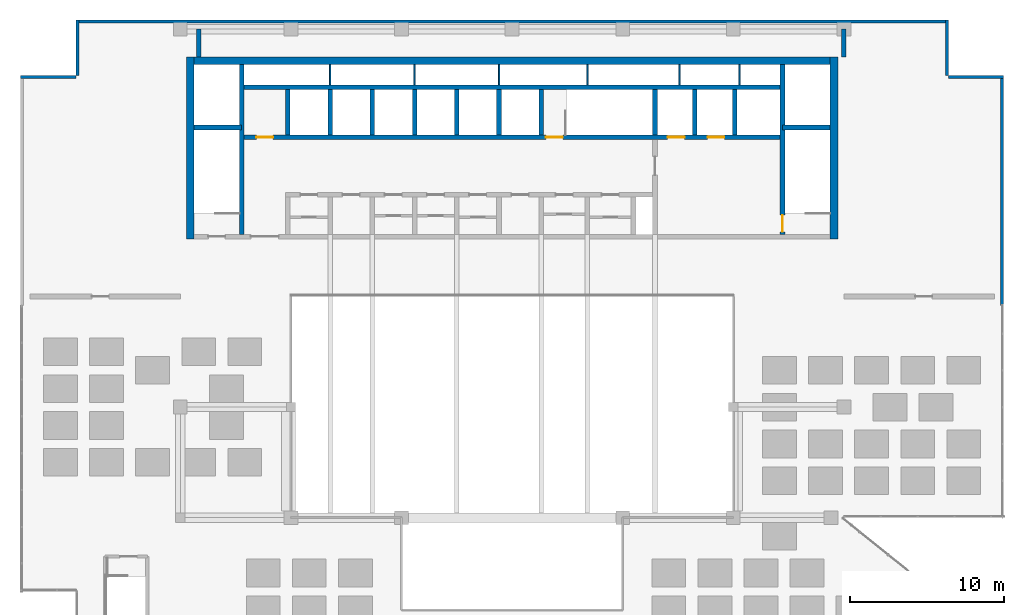
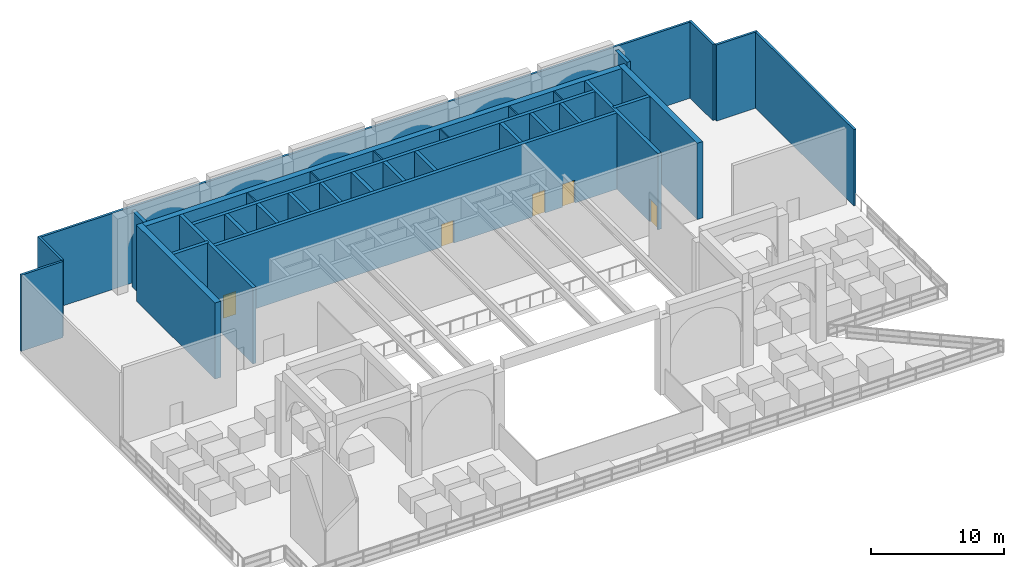
# One storey, part 14 of 17: 33 walls, 5 doors, 5 openings.
"""IFC4 building model written with IfcOpenShell, lengths in metres."""

from ifc_helpers import new_model, si_unit, direction, frame, frame_2d, origin, place, context, subcontext, project, spatial, rectangle, extrude, material, layer, layer_set, type_object, element, fill, save


model = new_model("IFC4")

# Units and contexts
model_context = context("Model", 3, precision=1e-05, world=origin(), true_north=direction((0.0, 1.0)))
body_context = subcontext(model_context, "Body", "Model", "MODEL_VIEW")
ifc_project = project(units=[si_unit("LENGTHUNIT", "METRE"), si_unit("AREAUNIT", "SQUARE_METRE"), si_unit("VOLUMEUNIT", "CUBIC_METRE"), si_unit("PLANEANGLEUNIT", "RADIAN"), si_unit("MASSUNIT", "GRAM", prefix="KILO")], contexts=[model_context])

# Site, building, storey
site_placement = place(None, origin())
site = spatial("IfcSite", under=ifc_project, at=site_placement, CompositionType="ELEMENT")
building_placement = place(site_placement, origin())
building = spatial("IfcBuilding", under=site, at=building_placement, Name="Saffron Iwan Residences", CompositionType="ELEMENT")
storey_placement = place(building_placement, frame((0.0, 0.0, 274.5)))
storey = spatial("IfcBuildingStorey", under=building, at=storey_placement, Name="L74", CompositionType="ELEMENT", Elevation=274.5)

# Walls
ifc_material_1 = material(Name="Concrete C40/50", Category="concrete")
ifc_layer_1 = layer(ifc_material_1, 0.199951171875)
ifc_layer_set_1 = layer_set([ifc_layer_1], Name="Concrete C40/50")
wall_type_1 = type_object("IfcWallType", Name="CROWN PLANT WALL 250", PredefinedType="SOLIDWALL", material=ifc_layer_set_1)
wall_1_placement = place(storey_placement, frame((82.300048828125, 61.800048828125, 0.0), z_axis=(0.0, 0.0, 1.0), x_axis=(0.0, 1.0, 0.0)))
element("IfcWall", 1, at=wall_1_placement, inside=storey, type_object=wall_type_1, Name="Plant enclosure wall F2.1", PredefinedType="SOLIDWALL", context=body_context, shape_type="SweptSolid", body=[
    extrude(rectangle(XDim=15.0, YDim=0.199951171875, at=frame_2d((7.5, 0.0))), origin(), (0.0, 0.0, 1.0), 7.0),
])
for number, where, z_axis, x_axis, name in (
    (2, (82.39990234375, 76.699951171875, 0.0), (0.0, 0.0, 1.0), (-1.0, 0.0, 0.0), "Plant enclosure wall F3.1"),
    (3, (78.699951171875, 76.800048828125, 0.0), (0.0, 0.0, 1.0), (0.0, 1.0, 0.0), "Plant enclosure wall F4.1"),
):
    element("IfcWall", number, at=place(storey_placement, frame(where, z_axis=z_axis, x_axis=x_axis)), inside=storey, type_object=wall_type_1, Name=name, PredefinedType="SOLIDWALL", context=body_context, shape_type="SweptSolid", body=[
        extrude(rectangle(XDim=3.599853515625, YDim=0.199951171875, at=frame_2d((1.7998046875, 0.0))), origin(), (0.0, 0.0, 1.0), 7.0),
    ])
wall_2_placement = place(storey_placement, frame((78.800048828125, 80.300048828125, 0.0), z_axis=(0.0, 0.0, 1.0), x_axis=(-1.0, 0.0, 0.0)))
element("IfcWall", 4, at=wall_2_placement, inside=storey, type_object=wall_type_1, Name="Plant enclosure wall F5.1", PredefinedType="SOLIDWALL", context=body_context, shape_type="SweptSolid", body=[
    extrude(rectangle(XDim=56.800048828125, YDim=0.199951171875, at=frame_2d((28.39990234375, 0.0))), origin(), (0.0, 0.0, 1.0), 7.0),
])
wall_3_placement = place(storey_placement, frame((22.10009765625, 80.39990234375, 0.0), z_axis=(0.0, 0.0, 1.0), x_axis=(0.0, -1.0, 0.0)))
element("IfcWall", 5, at=wall_3_placement, inside=storey, type_object=wall_type_1, Name="Plant enclosure wall F6.1", PredefinedType="SOLIDWALL", context=body_context, shape_type="SweptSolid", body=[
    extrude(rectangle(XDim=3.599853515625, YDim=0.199951171875, at=frame_2d((1.7998046875, 0.0))), origin(), (0.0, 0.0, 1.0), 7.0),
])
wall_4_placement = place(storey_placement, frame((22.0, 76.699951171875, 0.0), z_axis=(0.0, 0.0, 1.0), x_axis=(-1.0, 0.0, 0.0)))
element("IfcWall", 6, at=wall_4_placement, inside=storey, type_object=wall_type_1, Name="Plant enclosure wall F7.1", PredefinedType="SOLIDWALL", context=body_context, shape_type="SweptSolid", body=[
    extrude(rectangle(XDim=3.60009765625, YDim=0.199951171875, at=frame_2d((1.800048828125, 0.0))), origin(), (0.0, 0.0, 1.0), 7.0),
])
ifc_material_2 = material(Name="Precast concrete C40/50", Category="concrete")
ifc_layer_2 = layer(ifc_material_2, 0.300048828125)
ifc_layer_set_2 = layer_set([ifc_layer_2], Name="Precast concrete C40/50")
wall_type_2 = type_object("IfcWallType", Name="Podium external wall 300", PredefinedType="SOLIDWALL", material=ifc_layer_set_2)
wall_5_placement = place(storey_placement, frame((30.0, 78.001953125, 0.0), z_axis=(0.0, 0.0, 1.0), x_axis=(0.0, 1.0, 0.0)))
element("IfcWall", 7, at=wall_5_placement, inside=storey, type_object=wall_type_2, Name="W-L74-010", PredefinedType="SOLIDWALL", context=body_context, shape_type="SweptSolid", body=[
    extrude(rectangle(XDim=1.798095703125, YDim=0.300048828125, at=frame_2d((0.89892578125, 0.0))), origin(), (0.0, 0.0, 1.0), 7.0),
])
wall_6_placement = place(storey_placement, frame((72.0, 78.0, 0.0), z_axis=(0.0, 0.0, 1.0), x_axis=(0.0, 1.0, 0.0)))
element("IfcWall", 8, at=wall_6_placement, inside=storey, type_object=wall_type_2, Name="W-L74-015", PredefinedType="SOLIDWALL", context=body_context, shape_type="SweptSolid", body=[
    extrude(rectangle(XDim=1.800048828125, YDim=0.300048828125, at=frame_2d((0.89990234375, 0.0))), origin(), (0.0, 0.0, 1.0), 7.0),
])
ifc_material_3 = material(Name="Fire-rated plasterboard partition")
ifc_layer_3 = layer(ifc_material_3, 0.10009765625)
ifc_layer_set_3 = layer_set([ifc_layer_3], Name="Fire-rated plasterboard partition")
wall_type_3 = type_object("IfcWallType", Name="Riser partition 100", PredefinedType="PARTITIONING", material=ifc_layer_set_3)
for number, where, z_axis, x_axis, name in (
    (9, (38.550048828125, 76.175048828125, 0.0), (0.0, 0.0, 1.0), (0.0, 1.0, 0.0), "Core partition P07"),
    (10, (44.050048828125, 76.175048828125, 0.0), (0.0, 0.0, 1.0), (0.0, 1.0, 0.0), "Core partition P08"),
    (11, (49.550048828125, 76.175048828125, 0.0), (0.0, 0.0, 1.0), (0.0, 1.0, 0.0), "Core partition P09"),
    (12, (55.300048828125, 76.175048828125, 0.0), (0.0, 0.0, 1.0), (0.0, 1.0, 0.0), "Core partition P10"),
    (13, (61.300048828125, 76.175048828125, 0.0), (0.0, 0.0, 1.0), (0.0, 1.0, 0.0), "Core partition P11"),
    (14, (65.199951171875, 76.175048828125, 0.0), (0.0, 0.0, 1.0), (0.0, 1.0, 0.0), "Core partition P12"),
):
    element("IfcWall", number, at=place(storey_placement, frame(where, z_axis=z_axis, x_axis=x_axis)), inside=storey, type_object=wall_type_3, Name=name, PredefinedType="PARTITIONING", context=body_context, shape_type="SweptSolid", body=[
        extrude(rectangle(XDim=1.324951171875, YDim=0.10009765625, at=frame_2d((0.66259765625, 0.0))), origin(), (0.0, 0.0, 1.0), 7.0),
    ])

# Wall, openings, doors
ifc_layer_4 = layer(ifc_material_1, 0.300048828125)
ifc_layer_set_4 = layer_set([ifc_layer_4], Name="Concrete C40/50")
wall_type_4 = type_object("IfcWallType", Name="WALL CORE 300 C40/50 7000 HIGH", PredefinedType="SHEAR", material=ifc_layer_set_4)
wall_7_placement = place(storey_placement, frame((32.800048828125, 72.77490234375, 0.0), z_axis=(0.0, 0.0, 1.0), x_axis=(1.0, 0.0, 0.0)))
wall_7 = element("IfcWall", 15, at=wall_7_placement, inside=storey, type_object=wall_type_4, Name="Core wall", PredefinedType="SHEAR", context=body_context, shape_type="SweptSolid", body=[
    extrude(rectangle(XDim=35.199951171875, YDim=0.300048828125, at=frame_2d((17.60009765625, 0.0))), origin(), (0.0, 0.0, 1.0), 7.0),
])
opening_1_placement = place(wall_7_placement, frame((19.800048828125, 0.0, 0.0)))
opening_1 = element("IfcOpeningElement", 16, at=opening_1_placement, cuts=wall_7, Name="Opening SD", PredefinedType="OPENING", context=body_context, shape_type="SweptSolid", body=[
    extrude(rectangle(XDim=1.10009765625, YDim=2.10009765625, at=frame_2d((0.550048828125, 1.050048828125))), frame((0.0, 0.16015625, 0.0), z_axis=(0.0, -1.0, 0.0), x_axis=(1.0, 0.0, 0.0)), (0.0, 0.0, 1.0), 0.320068359375),
])
opening_2_placement = place(wall_7_placement, frame((27.72509765625, 0.0, 0.0)))
opening_2 = element("IfcOpeningElement", 17, at=opening_2_placement, cuts=wall_7, Name="Opening LD", PredefinedType="OPENING", context=body_context, shape_type="SweptSolid", body=[
    extrude(rectangle(XDim=1.10009765625, YDim=2.10009765625, at=frame_2d((0.550048828125, 1.050048828125))), frame((0.0, 0.16015625, 0.0), z_axis=(0.0, -1.0, 0.0), x_axis=(1.0, 0.0, 0.0)), (0.0, 0.0, 1.0), 0.320068359375),
])
opening_3_placement = place(wall_7_placement, frame((30.324951171875, 0.0, 0.0)))
opening_3 = element("IfcOpeningElement", 18, at=opening_3_placement, cuts=wall_7, Name="Opening LD", PredefinedType="OPENING", context=body_context, shape_type="SweptSolid", body=[
    extrude(rectangle(XDim=1.10009765625, YDim=2.10009765625, at=frame_2d((0.550048828125, 1.050048828125))), frame((0.0, 0.16015625, 0.0), z_axis=(0.0, -1.0, 0.0), x_axis=(1.0, 0.0, 0.0)), (0.0, 0.0, 1.0), 0.320068359375),
])
opening_4_placement = place(wall_7_placement, frame((0.949951171875, 0.0, 0.0)))
opening_4 = element("IfcOpeningElement", 19, at=opening_4_placement, cuts=wall_7, Name="Opening SR", PredefinedType="OPENING", context=body_context, shape_type="SweptSolid", body=[
    extrude(rectangle(XDim=1.10009765625, YDim=2.10009765625, at=frame_2d((0.550048828125, 1.050048828125))), frame((0.0, 0.16015625, 0.0), z_axis=(0.0, -1.0, 0.0), x_axis=(1.0, 0.0, 0.0)), (0.0, 0.0, 1.0), 0.320068359375),
])
ifc_material_4 = material(Name="Steel fire door", Category="steel")
door_type_1 = type_object("IfcDoorType", Name="Lift landing door 1100", OperationType="SLIDING_TO_LEFT", PredefinedType="DOOR", material=ifc_material_4)
door_1_placement = place(opening_2_placement, origin())
door_1 = element("IfcDoor", 20, at=door_1_placement, inside=storey, type_object=door_type_1, Name="Landing doors FF1", OperationType="SLIDING_TO_LEFT", OverallHeight=2.10009765625, OverallWidth=1.10009765625, PredefinedType="DOOR", context=body_context, shape_type="SweptSolid", body=[
    extrude(rectangle(XDim=1.10009765625, YDim=2.10009765625, at=frame_2d((0.550048828125, 1.050048828125))), frame((0.0, 0.02490234375, 0.0), z_axis=(0.0, -1.0, 0.0), x_axis=(1.0, 0.0, 0.0)), (0.0, 0.0, 1.0), 0.050048828125),
])
fill(opening_2, door_1)
door_2_placement = place(opening_3_placement, origin())
door_2 = element("IfcDoor", 21, at=door_2_placement, inside=storey, type_object=door_type_1, Name="Landing doors FF2", OperationType="SLIDING_TO_LEFT", OverallHeight=2.10009765625, OverallWidth=1.10009765625, PredefinedType="DOOR", context=body_context, shape_type="SweptSolid", body=[
    extrude(rectangle(XDim=1.10009765625, YDim=2.10009765625, at=frame_2d((0.550048828125, 1.050048828125))), frame((0.0, 0.02490234375, 0.0), z_axis=(0.0, -1.0, 0.0), x_axis=(1.0, 0.0, 0.0)), (0.0, 0.0, 1.0), 0.050048828125),
])
fill(opening_3, door_2)
door_type_2 = type_object("IfcDoorType", Name="Service door 1100", OperationType="NOTDEFINED", PredefinedType="DOOR", material=ifc_material_4)
door_3_placement = place(opening_4_placement, origin())
door_3 = element("IfcDoor", 22, at=door_3_placement, inside=storey, type_object=door_type_2, Name="Door Staff WC", OperationType="SINGLE_SWING_LEFT", OverallHeight=2.10009765625, OverallWidth=1.10009765625, PredefinedType="DOOR", context=body_context, shape_type="SweptSolid", body=[
    extrude(rectangle(XDim=1.10009765625, YDim=2.10009765625, at=frame_2d((0.550048828125, 1.050048828125))), frame((0.0, 0.02490234375, 0.0), z_axis=(0.0, -1.0, 0.0), x_axis=(1.0, 0.0, 0.0)), (0.0, 0.0, 1.0), 0.050048828125),
])
fill(opening_4, door_3)
door_type_3 = type_object("IfcDoorType", Name="Stair door 1100", OperationType="NOTDEFINED", PredefinedType="DOOR", material=ifc_material_4)
door_4_placement = place(opening_1_placement, origin())
door_4 = element("IfcDoor", 23, at=door_4_placement, inside=storey, type_object=door_type_3, Name="Stair door ST-C", OperationType="SINGLE_SWING_LEFT", OverallHeight=2.10009765625, OverallWidth=1.10009765625, PredefinedType="DOOR", context=body_context, shape_type="SweptSolid", body=[
    extrude(rectangle(XDim=1.10009765625, YDim=2.10009765625, at=frame_2d((0.550048828125, 1.050048828125))), frame((0.0, 0.02490234375, 0.0), z_axis=(0.0, -1.0, 0.0), x_axis=(1.0, 0.0, 0.0)), (0.0, 0.0, 1.0), 0.050048828125),
])
fill(opening_1, door_4)

# Walls
wall_8_placement = place(storey_placement, frame((32.800048828125, 76.02490234375, 0.0), z_axis=(0.0, 0.0, 1.0), x_axis=(1.0, 0.0, 0.0)))
element("IfcWall", 24, at=wall_8_placement, inside=storey, type_object=wall_type_4, Name="Core wall", PredefinedType="SHEAR", context=body_context, shape_type="SweptSolid", body=[
    extrude(rectangle(XDim=35.199951171875, YDim=0.300048828125, at=frame_2d((17.60009765625, 0.0))), origin(), (0.0, 0.0, 1.0), 7.0),
])
for number, where, z_axis, x_axis, name in (
    (25, (29.699951171875, 73.39990234375, 0.0), (0.0, 0.0, 1.0), (1.0, 0.0, 0.0), "Core wall"),
    (26, (68.0, 73.39990234375, 0.0), (0.0, 0.0, 1.0), (1.0, 0.0, 0.0), "Core wall"),
):
    element("IfcWall", number, at=place(storey_placement, frame(where, z_axis=z_axis, x_axis=x_axis)), inside=storey, type_object=wall_type_4, Name=name, PredefinedType="SHEAR", context=body_context, shape_type="SweptSolid", body=[
        extrude(rectangle(XDim=3.10009765625, YDim=0.300048828125, at=frame_2d((1.550048828125, 0.0))), origin(), (0.0, 0.0, 1.0), 7.0),
    ])
wall_9_placement = place(storey_placement, frame((32.800048828125, 66.449951171875, 0.0), z_axis=(0.0, 0.0, 1.0), x_axis=(0.0, 1.0, 0.0)))
element("IfcWall", 27, at=wall_9_placement, inside=storey, type_object=wall_type_4, Name="Core wall", PredefinedType="SHEAR", context=body_context, shape_type="SweptSolid", body=[
    extrude(rectangle(XDim=11.050048828125, YDim=0.300048828125, at=frame_2d((5.52490234375, 0.0))), origin(), (0.0, 0.0, 1.0), 7.0),
])

# Wall, opening, door
wall_10_placement = place(storey_placement, frame((68.0, 66.449951171875, 0.0), z_axis=(0.0, 0.0, 1.0), x_axis=(0.0, 1.0, 0.0)))
wall_10 = element("IfcWall", 28, at=wall_10_placement, inside=storey, type_object=wall_type_4, Name="Core wall", PredefinedType="SHEAR", context=body_context, shape_type="SweptSolid", body=[
    extrude(rectangle(XDim=11.050048828125, YDim=0.300048828125, at=frame_2d((5.52490234375, 0.0))), origin(), (0.0, 0.0, 1.0), 7.0),
])
opening_5_placement = place(wall_10_placement, frame((0.14990234375, 0.0, 0.0)))
opening_5 = element("IfcOpeningElement", 29, at=opening_5_placement, cuts=wall_10, Name="Opening SD", PredefinedType="OPENING", context=body_context, shape_type="SweptSolid", body=[
    extrude(rectangle(XDim=1.10009765625, YDim=2.10009765625, at=frame_2d((0.550048828125, 1.050048828125))), frame((0.0, 0.16015625, 0.0), z_axis=(0.0, -1.0, 0.0), x_axis=(1.0, 0.0, 0.0)), (0.0, 0.0, 1.0), 0.320068359375),
])
door_5_placement = place(opening_5_placement, origin())
door_5 = element("IfcDoor", 30, at=door_5_placement, inside=storey, type_object=door_type_3, Name="Stair door ST-E", OperationType="SINGLE_SWING_RIGHT", OverallHeight=2.10009765625, OverallWidth=1.10009765625, PredefinedType="DOOR", context=body_context, shape_type="SweptSolid", body=[
    extrude(rectangle(XDim=1.10009765625, YDim=2.10009765625, at=frame_2d((0.550048828125, 1.050048828125))), frame((0.0, 0.02490234375, 0.0), z_axis=(0.0, -1.0, 0.0), x_axis=(1.0, 0.0, 0.0)), (0.0, 0.0, 1.0), 0.050048828125),
])
fill(opening_5, door_5)

# Walls
for number, where, z_axis, x_axis, name in (
    (31, (59.699951171875, 72.925048828125, 0.0), (0.0, 0.0, 1.0), (0.0, 1.0, 0.0), "Core wall"),
    (32, (35.800048828125, 72.925048828125, 0.0), (0.0, 0.0, 1.0), (0.0, 1.0, 0.0), "Core wall"),
    (33, (38.550048828125, 72.925048828125, 0.0), (0.0, 0.0, 1.0), (0.0, 1.0, 0.0), "Core wall"),
    (34, (41.300048828125, 72.925048828125, 0.0), (0.0, 0.0, 1.0), (0.0, 1.0, 0.0), "Core wall"),
    (35, (44.050048828125, 72.925048828125, 0.0), (0.0, 0.0, 1.0), (0.0, 1.0, 0.0), "Core wall"),
    (36, (46.800048828125, 72.925048828125, 0.0), (0.0, 0.0, 1.0), (0.0, 1.0, 0.0), "Core wall"),
    (37, (49.550048828125, 72.925048828125, 0.0), (0.0, 0.0, 1.0), (0.0, 1.0, 0.0), "Core wall"),
    (38, (52.300048828125, 72.925048828125, 0.0), (0.0, 0.0, 1.0), (0.0, 1.0, 0.0), "Core wall"),
    (39, (62.300048828125, 72.925048828125, 0.0), (0.0, 0.0, 1.0), (0.0, 1.0, 0.0), "Core wall"),
    (40, (64.89990234375, 72.925048828125, 0.0), (0.0, 0.0, 1.0), (0.0, 1.0, 0.0), "Core wall"),
):
    element("IfcWall", number, at=place(storey_placement, frame(where, z_axis=z_axis, x_axis=x_axis)), inside=storey, type_object=wall_type_4, Name=name, PredefinedType="SHEAR", context=body_context, shape_type="SweptSolid", body=[
        extrude(rectangle(XDim=2.949951171875, YDim=0.300048828125, at=frame_2d((1.47509765625, 0.0))), origin(), (0.0, 0.0, 1.0), 7.0),
    ])
ifc_layer_5 = layer(ifc_material_1, 0.5)
ifc_layer_set_5 = layer_set([ifc_layer_5], Name="Concrete C40/50")
wall_type_5 = type_object("IfcWallType", Name="WALL CORE 500 C40/50 7000 HIGH", PredefinedType="SHEAR", material=ifc_layer_set_5)
for number, where, z_axis, x_axis, name in (
    (41, (29.449951171875, 66.14990234375, 0.0), (0.0, 0.0, 1.0), (0.0, 1.0, 0.0), "Core wall"),
    (42, (71.35009765625, 66.14990234375, 0.0), (0.0, 0.0, 1.0), (0.0, 1.0, 0.0), "Core wall"),
):
    element("IfcWall", number, at=place(storey_placement, frame(where, z_axis=z_axis, x_axis=x_axis)), inside=storey, type_object=wall_type_5, Name=name, PredefinedType="SHEAR", context=body_context, shape_type="SweptSolid", body=[
        extrude(rectangle(XDim=11.85009765625, YDim=0.5, at=frame_2d((5.925048828125, 0.0))), origin(), (0.0, 0.0, 1.0), 7.0),
    ])
wall_11_placement = place(storey_placement, frame((29.699951171875, 77.75, 0.0), z_axis=(0.0, 0.0, 1.0), x_axis=(1.0, 0.0, 0.0)))
element("IfcWall", 43, at=wall_11_placement, inside=storey, type_object=wall_type_5, Name="Core wall", PredefinedType="SHEAR", context=body_context, shape_type="SweptSolid", body=[
    extrude(rectangle(XDim=41.400146484375, YDim=0.5, at=frame_2d((20.7001953125, 0.0))), origin(), (0.0, 0.0, 1.0), 7.0),
])

save(model, "model.ifc")
